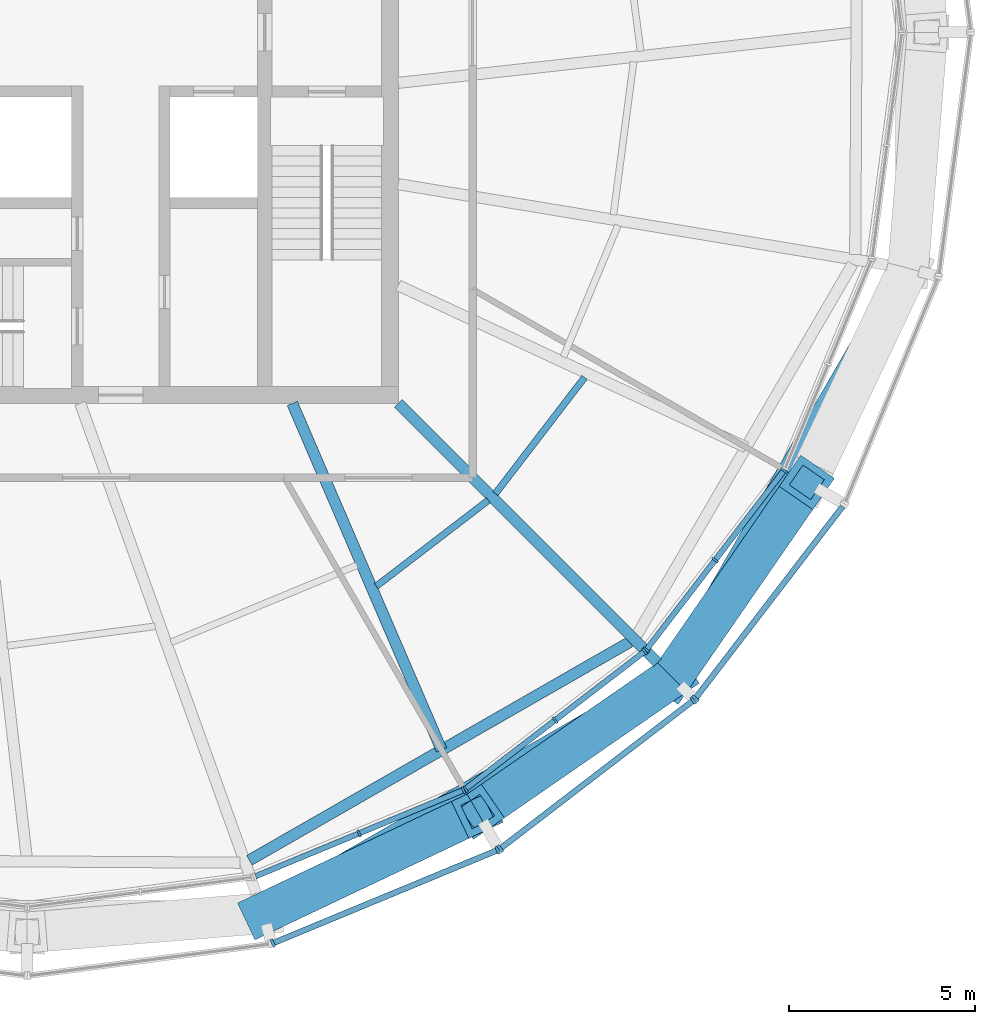
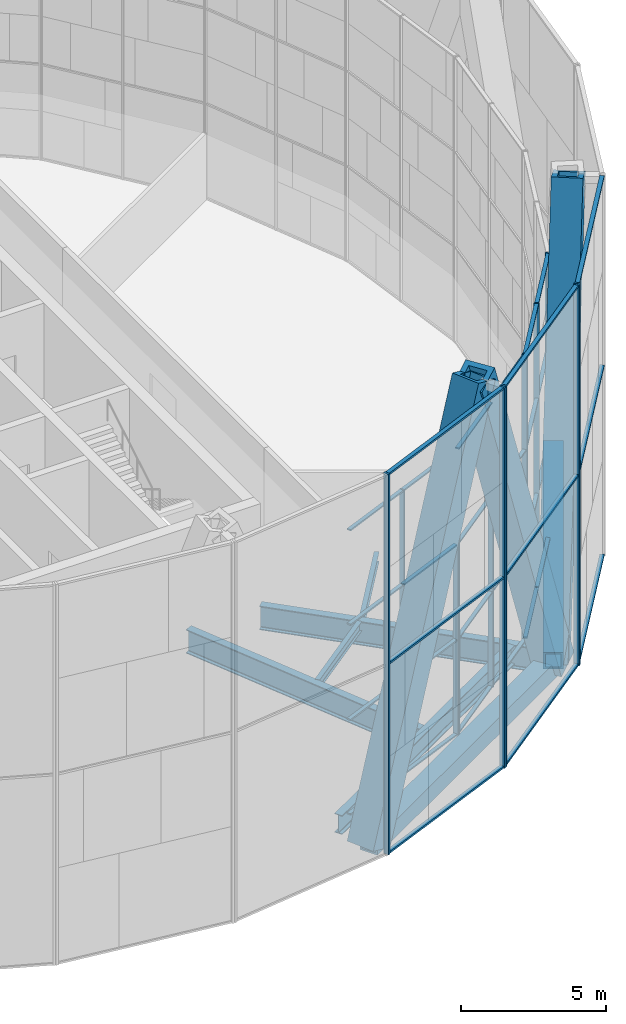
# One storey, part 4 of 26: 49 members, 7 beams, 6 elements without a shape of their own.
"""IFC4 building model written with IfcOpenShell, lengths in metres."""

from ifc_helpers import new_model, si_unit, direction, frame, origin, origin_2d, place, context, subcontext, project, spatial, rectangle, hollow_rectangle, i_section, extrude, material, material_profile, profile_set, type_object, element, aggregate, save


model = new_model("IFC4")

# Units and contexts
model_context = context("Model", 3, precision=1e-05, world=origin(), true_north=direction((0.0, 1.0)))
body_context = subcontext(model_context, "Body", "Model", "MODEL_VIEW")
ifc_project = project(units=[si_unit("LENGTHUNIT", "METRE"), si_unit("AREAUNIT", "SQUARE_METRE"), si_unit("VOLUMEUNIT", "CUBIC_METRE"), si_unit("PLANEANGLEUNIT", "RADIAN"), si_unit("MASSUNIT", "GRAM", prefix="KILO")], contexts=[model_context])

# Site, building, storey
site_placement = place(None, origin())
site = spatial("IfcSite", under=ifc_project, at=site_placement, CompositionType="ELEMENT")
building_placement = place(site_placement, origin())
building = spatial("IfcBuilding", under=site, at=building_placement, Name="Golbaran Civic Tower", CompositionType="ELEMENT")
storey_placement = place(building_placement, frame((0.0, 0.0, 199.0)))
storey = spatial("IfcBuildingStorey", under=building, at=storey_placement, Name="L48", CompositionType="ELEMENT", Elevation=199.0)

# Members
ifc_material_1 = material(Name="Steel S355", Category="steel")
ifc_material_profile_1 = material_profile(ifc_material_1, hollow_rectangle(XDim=1.10009765625, YDim=1.10009765625, WallThickness=0.199951171875, at=origin_2d()), Name="BOX 1100x1100x200")
ifc_profile_set_1 = profile_set([ifc_material_profile_1], Name="Steel S355")
member_type_1 = type_object("IfcMemberType", Name="DIAGRID DIAGONAL BOX 1100x1100x200", PredefinedType="BRACE", material=ifc_profile_set_1)
for number, where, z_axis, x_axis, name in (
    (1, (6.361328125, -23.740478515625, -0.7099609375), (0.334764832099, 0.158722749986, 0.92883776615), (-0.428416849002, 0.903581210236, 0.0), "Diagonal D11-09R L48-L52"),
    (2, (17.379150390625, -17.379150390625, -0.7099609375), (0.210566399983, 0.30484436274, 0.928833518831), (-0.822797663531, 0.568334412901, 0.0), "Diagonal D11-10R L48-L52"),
    (3, (17.379150390625, -17.379150390625, -0.7099609375), (-0.30484436274, -0.210566399983, 0.928833518831), (0.568334412901, -0.822797663531, 0.0), "Diagonal D11-10L L48-L52"),
):
    element("IfcMember", number, at=place(storey_placement, frame(where, z_axis=z_axis, x_axis=x_axis)), inside=storey, type_object=member_type_1, Name=name, PredefinedType="BRACE", context=body_context, shape_type="SweptSolid", body=[
        extrude(hollow_rectangle(XDim=1.10009765625, YDim=1.10009765625, WallThickness=0.199951171875, at=origin_2d()), origin(), (0.0, 0.0, 1.0), 17.225830078125),
    ])

# Beams
ifc_material_profile_2 = material_profile(ifc_material_1, hollow_rectangle(XDim=0.699951171875, YDim=0.699951171875, WallThickness=0.080078125, at=origin_2d()), Name="BOX 700x700x80")
ifc_profile_set_2 = profile_set([ifc_material_profile_2], Name="Steel S355")
beam_type_1 = type_object("IfcBeamType", Name="DIAGRID RING TIE BOX 700x700x80", PredefinedType="BEAM", material=ifc_profile_set_2)
for number, where, z_axis, x_axis, name in (
    (4, (6.361328125, -23.740478515625, -0.7099609375), (0.86601909101, 0.500010933886, 0.0), (-0.500010933886, 0.86601909101, 0.0), "Ring tie 285.00 L48"),
    (5, (17.379150390625, -17.379150390625, -0.7099609375), (0.500010933886, 0.86601909101, 0.0), (-0.86601909101, 0.500010933886, 0.0), "Ring tie 315.00 L48"),
):
    element("IfcBeam", number, at=place(storey_placement, frame(where, z_axis=z_axis, x_axis=x_axis)), inside=storey, type_object=beam_type_1, Name=name, PredefinedType="BEAM", context=body_context, shape_type="SweptSolid", body=[
        extrude(hollow_rectangle(XDim=0.699951171875, YDim=0.699951171875, WallThickness=0.080078125, at=origin_2d()), origin(), (0.0, 0.0, 1.0), 12.722412109375),
    ])
ifc_material_profile_3 = material_profile(ifc_material_1, i_section(OverallWidth=0.300048828125, OverallDepth=0.800048828125, WebThickness=0.017578125, FlangeThickness=0.032958984375, FilletRadius=0.030029296875, at=origin_2d()), Name="HEB 800")
ifc_profile_set_3 = profile_set([ifc_material_profile_3], Name="Steel S355")
beam_type_2 = type_object("IfcBeamType", Name="EDGE BEAM HEB 800", PredefinedType="BEAM", material=ifc_profile_set_3)
beam_1_placement = place(storey_placement, frame((5.986572265625, -22.31201171875, -0.60009765625), z_axis=(0.867321764975, 0.497747883975, 0.0), x_axis=(-0.497747883975, 0.867321764975, 0.0)))
element("IfcBeam", 6, at=beam_1_placement, inside=storey, type_object=beam_type_2, Name="Edge beam 285.00 L48", PredefinedType="BEAM", context=body_context, shape_type="SweptSolid", body=[
    extrude(i_section(OverallWidth=0.300048828125, OverallDepth=0.800048828125, WebThickness=0.017578125, FlangeThickness=0.032958984375, FilletRadius=0.030029296875, at=origin_2d()), origin(), (0.0, 0.0, 1.0), 11.82470703125),
])
ifc_material_profile_4 = material_profile(ifc_material_1, i_section(OverallWidth=0.179931640625, OverallDepth=0.39990234375, WebThickness=0.008544921875, FlangeThickness=0.013427734375, FilletRadius=0.02099609375, at=origin_2d()), Name="IPE 400")
ifc_profile_set_4 = profile_set([ifc_material_profile_4], Name="Steel S355")
beam_type_3 = type_object("IfcBeamType", Name="FLOOR INFILL BEAM IPE 400", PredefinedType="BEAM", material=ifc_profile_set_4)
beam_2_placement = place(storey_placement, frame((9.406494140625, -14.926513671875, -0.39990234375), z_axis=(0.793338867189, 0.608780290258, 0.0), x_axis=(-0.608780290258, 0.793338867189, 0.0)))
element("IfcBeam", 7, at=beam_2_placement, inside=storey, type_object=beam_type_3, Name="Infill beam 307.50 L48", PredefinedType="BEAM", context=body_context, shape_type="SweptSolid", body=[
    extrude(i_section(OverallWidth=0.179931640625, OverallDepth=0.39990234375, WebThickness=0.008544921875, FlangeThickness=0.013427734375, FilletRadius=0.02099609375, at=origin_2d()), origin(), (0.0, 0.0, 1.0), 3.805908203125),
])
beam_3_placement = place(storey_placement, frame((12.615966796875, -12.43212890625, -0.39990234375), z_axis=(0.608762650761, 0.793352402806, 0.0), x_axis=(-0.793352402806, 0.608762650761, 0.0)))
element("IfcBeam", 8, at=beam_3_placement, inside=storey, type_object=beam_type_3, Name="Infill beam 322.50 L48", PredefinedType="BEAM", context=body_context, shape_type="SweptSolid", body=[
    extrude(i_section(OverallWidth=0.179931640625, OverallDepth=0.39990234375, WebThickness=0.008544921875, FlangeThickness=0.013427734375, FilletRadius=0.02099609375, at=origin_2d()), origin(), (0.0, 0.0, 1.0), 3.94677734375),
])

# Curtain wall, members
ifc_material_2 = material(Name="Aluminium and glass", Category="aluminium")
curtain_wall_type_1 = type_object("IfcCurtainWallType", Name="INNER SKIN CURTAIN WALL EXECUTIVE", PredefinedType="NOTDEFINED", material=ifc_material_2)
curtain_wall_1_placement = place(storey_placement, origin())
curtain_wall_1 = element("IfcCurtainWall", 9, at=curtain_wall_1_placement, inside=storey, type_object=curtain_wall_type_1, Name="Inner skin L48 facet 20 CW2", ObjectType="INNER SKIN", PredefinedType="USERDEFINED")
ifc_material_3 = material(Name="Aluminium", Category="aluminium")
ifc_material_profile_5 = material_profile(ifc_material_3, rectangle(XDim=0.199951171875, YDim=0.06005859375, at=origin_2d()), Name="INNER SKIN CURTAIN WALL EXECUTIVE MULLION")
ifc_profile_set_5 = profile_set([ifc_material_profile_5], Name="Aluminium")
member_type_2 = type_object("IfcMemberType", Name="INNER SKIN CURTAIN WALL EXECUTIVE MULLION", PredefinedType="MULLION", material=ifc_profile_set_5)
member_1_placement = place(storey_placement, frame((8.941650390625, -21.5869140625, 0.0), z_axis=(0.0, 0.0, 1.0), x_axis=(-0.382683432349, 0.923879532518, 0.0)))
member_1 = element("IfcMember", 10, at=member_1_placement, type_object=member_type_2, Name="CW2 mullion 2", PredefinedType="MULLION", context=body_context, shape_type="SweptSolid", body=[
    extrude(rectangle(XDim=0.199951171875, YDim=0.06005859375, at=origin_2d()), origin(), (0.0, 0.0, 1.0), 12.0),
])
member_2_placement = place(storey_placement, frame((11.755859375, -20.421142578125, 0.0), z_axis=(0.0, 0.0, 1.0), x_axis=(-0.382683432349, 0.923879532518, 0.0)))
member_2 = element("IfcMember", 11, at=member_2_placement, type_object=member_type_2, Name="CW2 mullion 3", PredefinedType="MULLION", context=body_context, shape_type="SweptSolid", body=[
    extrude(rectangle(XDim=0.199951171875, YDim=0.06005859375, at=origin_2d()), origin(), (0.0, 0.0, 1.0), 12.0),
])

curtain_wall_2_placement = place(storey_placement, origin())
curtain_wall_2 = element("IfcCurtainWall", 12, at=curtain_wall_2_placement, inside=storey, type_object=curtain_wall_type_1, Name="Inner skin L48 facet 21 CW2", ObjectType="INNER SKIN", PredefinedType="USERDEFINED")
member_3_placement = place(storey_placement, frame((11.807373046875, -20.391357421875, 0.0), z_axis=(0.0, 0.0, 1.0), x_axis=(-0.60876142905, 0.793353340259, 0.0)))
member_3 = element("IfcMember", 13, at=member_3_placement, type_object=member_type_2, Name="CW2 mullion 1", PredefinedType="MULLION", context=body_context, shape_type="SweptSolid", body=[
    extrude(rectangle(XDim=0.199951171875, YDim=0.06005859375, at=origin_2d()), origin(), (0.0, 0.0, 1.0), 12.0),
])
member_4_placement = place(storey_placement, frame((14.223876953125, -18.537109375, 0.0), z_axis=(0.0, 0.0, 1.0), x_axis=(-0.60876142905, 0.793353340259, 0.0)))
member_4 = element("IfcMember", 14, at=member_4_placement, type_object=member_type_2, Name="CW2 mullion 2", PredefinedType="MULLION", context=body_context, shape_type="SweptSolid", body=[
    extrude(rectangle(XDim=0.199951171875, YDim=0.06005859375, at=origin_2d()), origin(), (0.0, 0.0, 1.0), 12.0),
])
member_5_placement = place(storey_placement, frame((16.640625, -16.6826171875, 0.0), z_axis=(0.0, 0.0, 1.0), x_axis=(-0.60876142905, 0.793353340259, 0.0)))
member_5 = element("IfcMember", 15, at=member_5_placement, type_object=member_type_2, Name="CW2 mullion 3", PredefinedType="MULLION", context=body_context, shape_type="SweptSolid", body=[
    extrude(rectangle(XDim=0.199951171875, YDim=0.06005859375, at=origin_2d()), origin(), (0.0, 0.0, 1.0), 12.0),
])

curtain_wall_3_placement = place(storey_placement, origin())
curtain_wall_3 = element("IfcCurtainWall", 16, at=curtain_wall_3_placement, inside=storey, type_object=curtain_wall_type_1, Name="Inner skin L48 facet 22 CW2", ObjectType="INNER SKIN", PredefinedType="USERDEFINED")
member_6_placement = place(storey_placement, frame((16.6826171875, -16.640625, 0.0), z_axis=(0.0, 0.0, 1.0), x_axis=(-0.793353340259, 0.60876142905, 0.0)))
member_6 = element("IfcMember", 17, at=member_6_placement, type_object=member_type_2, Name="CW2 mullion 1", PredefinedType="MULLION", context=body_context, shape_type="SweptSolid", body=[
    extrude(rectangle(XDim=0.199951171875, YDim=0.06005859375, at=origin_2d()), origin(), (0.0, 0.0, 1.0), 12.0),
])
member_7_placement = place(storey_placement, frame((18.537109375, -14.223876953125, 0.0), z_axis=(0.0, 0.0, 1.0), x_axis=(-0.793353340259, 0.60876142905, 0.0)))
member_7 = element("IfcMember", 18, at=member_7_placement, type_object=member_type_2, Name="CW2 mullion 2", PredefinedType="MULLION", context=body_context, shape_type="SweptSolid", body=[
    extrude(rectangle(XDim=0.199951171875, YDim=0.06005859375, at=origin_2d()), origin(), (0.0, 0.0, 1.0), 12.0),
])
member_8_placement = place(storey_placement, frame((20.391357421875, -11.807373046875, 0.0), z_axis=(0.0, 0.0, 1.0), x_axis=(-0.793353340259, 0.60876142905, 0.0)))
member_8 = element("IfcMember", 19, at=member_8_placement, type_object=member_type_2, Name="CW2 mullion 3", PredefinedType="MULLION", context=body_context, shape_type="SweptSolid", body=[
    extrude(rectangle(XDim=0.199951171875, YDim=0.06005859375, at=origin_2d()), origin(), (0.0, 0.0, 1.0), 12.0),
])

# Member
ifc_material_profile_6 = material_profile(ifc_material_3, rectangle(XDim=0.14990234375, YDim=0.06005859375, at=origin_2d()), Name="INNER SKIN CURTAIN WALL EXECUTIVE TRANSOM")
ifc_profile_set_6 = profile_set([ifc_material_profile_6], Name="Aluminium")
member_type_3 = type_object("IfcMemberType", Name="INNER SKIN CURTAIN WALL EXECUTIVE TRANSOM", PredefinedType="USERDEFINED", material=ifc_profile_set_6)
member_9_placement = place(storey_placement, frame((6.155029296875, -22.740966796875, 0.030029296875), z_axis=(0.923897258763, 0.382640634603, 0.0), x_axis=(-0.382640634603, 0.923897258763, 0.0)))
member_9 = element("IfcMember", 20, at=member_9_placement, type_object=member_type_3, Name="CW2 transom 1.1", ObjectType="TRANSOM", PredefinedType="USERDEFINED", context=body_context, shape_type="SweptSolid", body=[
    extrude(rectangle(XDim=0.14990234375, YDim=0.06005859375, at=origin_2d()), origin(), (0.0, 0.0, 1.0), 2.986083984375),
])

member_10_placement = place(storey_placement, frame((6.155029296875, -22.740966796875, 4.0), z_axis=(0.923897258763, 0.382640634603, 0.0), x_axis=(-0.382640634603, 0.923897258763, 0.0)))
member_10 = element("IfcMember", 21, at=member_10_placement, type_object=member_type_3, Name="CW2 transom 1.2", ObjectType="TRANSOM", PredefinedType="USERDEFINED", context=body_context, shape_type="SweptSolid", body=[
    extrude(rectangle(XDim=0.14990234375, YDim=0.06005859375, at=origin_2d()), origin(), (0.0, 0.0, 1.0), 2.986083984375),
])

member_11_placement = place(storey_placement, frame((6.155029296875, -22.740966796875, 8.0), z_axis=(0.923897258763, 0.382640634603, 0.0), x_axis=(-0.382640634603, 0.923897258763, 0.0)))
member_11 = element("IfcMember", 22, at=member_11_placement, type_object=member_type_3, Name="CW2 transom 1.3", ObjectType="TRANSOM", PredefinedType="USERDEFINED", context=body_context, shape_type="SweptSolid", body=[
    extrude(rectangle(XDim=0.14990234375, YDim=0.06005859375, at=origin_2d()), origin(), (0.0, 0.0, 1.0), 2.986083984375),
])

member_12_placement = place(storey_placement, frame((6.155029296875, -22.740966796875, 11.969970703125), z_axis=(0.923897258763, 0.382640634603, 0.0), x_axis=(-0.382640634603, 0.923897258763, 0.0)))
member_12 = element("IfcMember", 23, at=member_12_placement, type_object=member_type_3, Name="CW2 transom 1.4", ObjectType="TRANSOM", PredefinedType="USERDEFINED", context=body_context, shape_type="SweptSolid", body=[
    extrude(rectangle(XDim=0.14990234375, YDim=0.06005859375, at=origin_2d()), origin(), (0.0, 0.0, 1.0), 2.986083984375),
])

member_13_placement = place(storey_placement, frame((8.96923828125, -21.5751953125, 0.030029296875), z_axis=(0.923897258763, 0.382640634603, 0.0), x_axis=(-0.382640634603, 0.923897258763, 0.0)))
member_13 = element("IfcMember", 24, at=member_13_placement, type_object=member_type_3, Name="CW2 transom 2.1", ObjectType="TRANSOM", PredefinedType="USERDEFINED", context=body_context, shape_type="SweptSolid", body=[
    extrude(rectangle(XDim=0.14990234375, YDim=0.06005859375, at=origin_2d()), origin(), (0.0, 0.0, 1.0), 2.986083984375),
])

member_14_placement = place(storey_placement, frame((8.96923828125, -21.5751953125, 4.0), z_axis=(0.923897258763, 0.382640634603, 0.0), x_axis=(-0.382640634603, 0.923897258763, 0.0)))
member_14 = element("IfcMember", 25, at=member_14_placement, type_object=member_type_3, Name="CW2 transom 2.2", ObjectType="TRANSOM", PredefinedType="USERDEFINED", context=body_context, shape_type="SweptSolid", body=[
    extrude(rectangle(XDim=0.14990234375, YDim=0.06005859375, at=origin_2d()), origin(), (0.0, 0.0, 1.0), 2.986083984375),
])

member_15_placement = place(storey_placement, frame((8.96923828125, -21.5751953125, 8.0), z_axis=(0.923897258763, 0.382640634603, 0.0), x_axis=(-0.382640634603, 0.923897258763, 0.0)))
member_15 = element("IfcMember", 26, at=member_15_placement, type_object=member_type_3, Name="CW2 transom 2.3", ObjectType="TRANSOM", PredefinedType="USERDEFINED", context=body_context, shape_type="SweptSolid", body=[
    extrude(rectangle(XDim=0.14990234375, YDim=0.06005859375, at=origin_2d()), origin(), (0.0, 0.0, 1.0), 2.986083984375),
])

member_16_placement = place(storey_placement, frame((8.96923828125, -21.5751953125, 11.969970703125), z_axis=(0.923897258763, 0.382640634603, 0.0), x_axis=(-0.382640634603, 0.923897258763, 0.0)))
member_16 = element("IfcMember", 27, at=member_16_placement, type_object=member_type_3, Name="CW2 transom 2.4", ObjectType="TRANSOM", PredefinedType="USERDEFINED", context=body_context, shape_type="SweptSolid", body=[
    extrude(rectangle(XDim=0.14990234375, YDim=0.06005859375, at=origin_2d()), origin(), (0.0, 0.0, 1.0), 2.986083984375),
])

aggregate(curtain_wall_1, [member_1, member_2, member_9, member_10, member_11, member_12, member_13, member_14, member_15, member_16])

member_17_placement = place(storey_placement, frame((11.8310546875, -20.373046875, 0.030029296875), z_axis=(0.793358911257, 0.608754168716, 0.0), x_axis=(-0.608754168716, 0.793358911257, 0.0)))
member_17 = element("IfcMember", 28, at=member_17_placement, type_object=member_type_3, Name="CW2 transom 1.1", ObjectType="TRANSOM", PredefinedType="USERDEFINED", context=body_context, shape_type="SweptSolid", body=[
    extrude(rectangle(XDim=0.14990234375, YDim=0.06005859375, at=origin_2d()), origin(), (0.0, 0.0, 1.0), 2.986328125),
])

member_18_placement = place(storey_placement, frame((11.8310546875, -20.373046875, 4.0), z_axis=(0.793358911257, 0.608754168716, 0.0), x_axis=(-0.608754168716, 0.793358911257, 0.0)))
member_18 = element("IfcMember", 29, at=member_18_placement, type_object=member_type_3, Name="CW2 transom 1.2", ObjectType="TRANSOM", PredefinedType="USERDEFINED", context=body_context, shape_type="SweptSolid", body=[
    extrude(rectangle(XDim=0.14990234375, YDim=0.06005859375, at=origin_2d()), origin(), (0.0, 0.0, 1.0), 2.986328125),
])

member_19_placement = place(storey_placement, frame((11.8310546875, -20.373046875, 8.0), z_axis=(0.793358911257, 0.608754168716, 0.0), x_axis=(-0.608754168716, 0.793358911257, 0.0)))
member_19 = element("IfcMember", 30, at=member_19_placement, type_object=member_type_3, Name="CW2 transom 1.3", ObjectType="TRANSOM", PredefinedType="USERDEFINED", context=body_context, shape_type="SweptSolid", body=[
    extrude(rectangle(XDim=0.14990234375, YDim=0.06005859375, at=origin_2d()), origin(), (0.0, 0.0, 1.0), 2.986328125),
])

member_20_placement = place(storey_placement, frame((11.8310546875, -20.373046875, 11.969970703125), z_axis=(0.793358911257, 0.608754168716, 0.0), x_axis=(-0.608754168716, 0.793358911257, 0.0)))
member_20 = element("IfcMember", 31, at=member_20_placement, type_object=member_type_3, Name="CW2 transom 1.4", ObjectType="TRANSOM", PredefinedType="USERDEFINED", context=body_context, shape_type="SweptSolid", body=[
    extrude(rectangle(XDim=0.14990234375, YDim=0.06005859375, at=origin_2d()), origin(), (0.0, 0.0, 1.0), 2.986328125),
])

member_21_placement = place(storey_placement, frame((14.247802734375, -18.518798828125, 0.030029296875), z_axis=(0.793328611087, 0.60879365538, 0.0), x_axis=(-0.60879365538, 0.793328611087, 0.0)))
member_21 = element("IfcMember", 32, at=member_21_placement, type_object=member_type_3, Name="CW2 transom 2.1", ObjectType="TRANSOM", PredefinedType="USERDEFINED", context=body_context, shape_type="SweptSolid", body=[
    extrude(rectangle(XDim=0.14990234375, YDim=0.06005859375, at=origin_2d()), origin(), (0.0, 0.0, 1.0), 2.986083984375),
])

member_22_placement = place(storey_placement, frame((14.247802734375, -18.518798828125, 4.0), z_axis=(0.793328611087, 0.60879365538, 0.0), x_axis=(-0.60879365538, 0.793328611087, 0.0)))
member_22 = element("IfcMember", 33, at=member_22_placement, type_object=member_type_3, Name="CW2 transom 2.2", ObjectType="TRANSOM", PredefinedType="USERDEFINED", context=body_context, shape_type="SweptSolid", body=[
    extrude(rectangle(XDim=0.14990234375, YDim=0.06005859375, at=origin_2d()), origin(), (0.0, 0.0, 1.0), 2.986083984375),
])

member_23_placement = place(storey_placement, frame((14.247802734375, -18.518798828125, 8.0), z_axis=(0.793328611087, 0.60879365538, 0.0), x_axis=(-0.60879365538, 0.793328611087, 0.0)))
member_23 = element("IfcMember", 34, at=member_23_placement, type_object=member_type_3, Name="CW2 transom 2.3", ObjectType="TRANSOM", PredefinedType="USERDEFINED", context=body_context, shape_type="SweptSolid", body=[
    extrude(rectangle(XDim=0.14990234375, YDim=0.06005859375, at=origin_2d()), origin(), (0.0, 0.0, 1.0), 2.986083984375),
])

member_24_placement = place(storey_placement, frame((14.247802734375, -18.518798828125, 11.969970703125), z_axis=(0.793328611087, 0.60879365538, 0.0), x_axis=(-0.60879365538, 0.793328611087, 0.0)))
member_24 = element("IfcMember", 35, at=member_24_placement, type_object=member_type_3, Name="CW2 transom 2.4", ObjectType="TRANSOM", PredefinedType="USERDEFINED", context=body_context, shape_type="SweptSolid", body=[
    extrude(rectangle(XDim=0.14990234375, YDim=0.06005859375, at=origin_2d()), origin(), (0.0, 0.0, 1.0), 2.986083984375),
])

aggregate(curtain_wall_2, [member_3, member_4, member_5, member_17, member_18, member_19, member_20, member_21, member_22, member_23, member_24])

member_25_placement = place(storey_placement, frame((16.700927734375, -16.61669921875, 0.030029296875), z_axis=(0.60879365538, 0.793328611087, 0.0), x_axis=(-0.793328611087, 0.60879365538, 0.0)))
member_25 = element("IfcMember", 36, at=member_25_placement, type_object=member_type_3, Name="CW2 transom 1.1", ObjectType="TRANSOM", PredefinedType="USERDEFINED", context=body_context, shape_type="SweptSolid", body=[
    extrude(rectangle(XDim=0.14990234375, YDim=0.06005859375, at=origin_2d()), origin(), (0.0, 0.0, 1.0), 2.986083984375),
])

member_26_placement = place(storey_placement, frame((16.700927734375, -16.61669921875, 4.0), z_axis=(0.60879365538, 0.793328611087, 0.0), x_axis=(-0.793328611087, 0.60879365538, 0.0)))
member_26 = element("IfcMember", 37, at=member_26_placement, type_object=member_type_3, Name="CW2 transom 1.2", ObjectType="TRANSOM", PredefinedType="USERDEFINED", context=body_context, shape_type="SweptSolid", body=[
    extrude(rectangle(XDim=0.14990234375, YDim=0.06005859375, at=origin_2d()), origin(), (0.0, 0.0, 1.0), 2.986083984375),
])

member_27_placement = place(storey_placement, frame((16.700927734375, -16.61669921875, 8.0), z_axis=(0.60879365538, 0.793328611087, 0.0), x_axis=(-0.793328611087, 0.60879365538, 0.0)))
member_27 = element("IfcMember", 38, at=member_27_placement, type_object=member_type_3, Name="CW2 transom 1.3", ObjectType="TRANSOM", PredefinedType="USERDEFINED", context=body_context, shape_type="SweptSolid", body=[
    extrude(rectangle(XDim=0.14990234375, YDim=0.06005859375, at=origin_2d()), origin(), (0.0, 0.0, 1.0), 2.986083984375),
])

member_28_placement = place(storey_placement, frame((16.700927734375, -16.61669921875, 11.969970703125), z_axis=(0.60879365538, 0.793328611087, 0.0), x_axis=(-0.793328611087, 0.60879365538, 0.0)))
member_28 = element("IfcMember", 39, at=member_28_placement, type_object=member_type_3, Name="CW2 transom 1.4", ObjectType="TRANSOM", PredefinedType="USERDEFINED", context=body_context, shape_type="SweptSolid", body=[
    extrude(rectangle(XDim=0.14990234375, YDim=0.06005859375, at=origin_2d()), origin(), (0.0, 0.0, 1.0), 2.986083984375),
])

member_29_placement = place(storey_placement, frame((18.55517578125, -14.2001953125, 0.030029296875), z_axis=(0.608754168716, 0.793358911257, 0.0), x_axis=(-0.793358911257, 0.608754168716, 0.0)))
member_29 = element("IfcMember", 40, at=member_29_placement, type_object=member_type_3, Name="CW2 transom 2.1", ObjectType="TRANSOM", PredefinedType="USERDEFINED", context=body_context, shape_type="SweptSolid", body=[
    extrude(rectangle(XDim=0.14990234375, YDim=0.06005859375, at=origin_2d()), origin(), (0.0, 0.0, 1.0), 2.986328125),
])

member_30_placement = place(storey_placement, frame((18.55517578125, -14.2001953125, 4.0), z_axis=(0.608754168716, 0.793358911257, 0.0), x_axis=(-0.793358911257, 0.608754168716, 0.0)))
member_30 = element("IfcMember", 41, at=member_30_placement, type_object=member_type_3, Name="CW2 transom 2.2", ObjectType="TRANSOM", PredefinedType="USERDEFINED", context=body_context, shape_type="SweptSolid", body=[
    extrude(rectangle(XDim=0.14990234375, YDim=0.06005859375, at=origin_2d()), origin(), (0.0, 0.0, 1.0), 2.986328125),
])

member_31_placement = place(storey_placement, frame((18.55517578125, -14.2001953125, 8.0), z_axis=(0.608754168716, 0.793358911257, 0.0), x_axis=(-0.793358911257, 0.608754168716, 0.0)))
member_31 = element("IfcMember", 42, at=member_31_placement, type_object=member_type_3, Name="CW2 transom 2.3", ObjectType="TRANSOM", PredefinedType="USERDEFINED", context=body_context, shape_type="SweptSolid", body=[
    extrude(rectangle(XDim=0.14990234375, YDim=0.06005859375, at=origin_2d()), origin(), (0.0, 0.0, 1.0), 2.986328125),
])

member_32_placement = place(storey_placement, frame((18.55517578125, -14.2001953125, 11.969970703125), z_axis=(0.608754168716, 0.793358911257, 0.0), x_axis=(-0.793358911257, 0.608754168716, 0.0)))
member_32 = element("IfcMember", 43, at=member_32_placement, type_object=member_type_3, Name="CW2 transom 2.4", ObjectType="TRANSOM", PredefinedType="USERDEFINED", context=body_context, shape_type="SweptSolid", body=[
    extrude(rectangle(XDim=0.14990234375, YDim=0.06005859375, at=origin_2d()), origin(), (0.0, 0.0, 1.0), 2.986328125),
])

aggregate(curtain_wall_3, [member_6, member_7, member_8, member_25, member_26, member_27, member_28, member_29, member_30, member_31, member_32])

# Curtain wall, members
curtain_wall_type_2 = type_object("IfcCurtainWallType", Name="OUTER SKIN TERRACOTTA SCREEN", PredefinedType="NOTDEFINED", material=ifc_material_2)
curtain_wall_4_placement = place(storey_placement, origin())
curtain_wall_4 = element("IfcCurtainWall", 44, at=curtain_wall_4_placement, inside=storey, type_object=curtain_wall_type_2, Name="Outer skin L48 facet 20 CW3", ObjectType="OUTER SKIN", PredefinedType="USERDEFINED")
ifc_material_profile_7 = material_profile(ifc_material_3, rectangle(XDim=0.219970703125, YDim=0.080078125, at=origin_2d()), Name="OUTER SKIN TERRACOTTA SCREEN MULLION")
ifc_profile_set_7 = profile_set([ifc_material_profile_7], Name="Aluminium")
member_type_4 = type_object("IfcMemberType", Name="OUTER SKIN TERRACOTTA SCREEN MULLION", PredefinedType="MULLION", material=ifc_profile_set_7)
member_33_placement = place(storey_placement, frame((6.6181640625, -24.546142578125, -0.7099609375), z_axis=(0.0, 0.0, 1.0), x_axis=(-0.382683432446, 0.923879532478, 0.0)))
member_33 = element("IfcMember", 45, at=member_33_placement, type_object=member_type_4, Name="CW3 mullion 1", PredefinedType="MULLION", context=body_context, shape_type="SweptSolid", body=[
    extrude(rectangle(XDim=0.219970703125, YDim=0.080078125, at=origin_2d()), origin(), (0.0, 0.0, 1.0), 16.0),
])
member_34_placement = place(storey_placement, frame((12.677001953125, -22.03662109375, -0.7099609375), z_axis=(0.0, 0.0, 1.0), x_axis=(-0.382683432446, 0.923879532478, 0.0)))
member_34 = element("IfcMember", 46, at=member_34_placement, type_object=member_type_4, Name="CW3 mullion 2", PredefinedType="MULLION", context=body_context, shape_type="SweptSolid", body=[
    extrude(rectangle(XDim=0.219970703125, YDim=0.080078125, at=origin_2d()), origin(), (0.0, 0.0, 1.0), 16.0),
])

curtain_wall_5_placement = place(storey_placement, origin())
curtain_wall_5 = element("IfcCurtainWall", 47, at=curtain_wall_5_placement, inside=storey, type_object=curtain_wall_type_2, Name="Outer skin L48 facet 21 CW3", ObjectType="OUTER SKIN", PredefinedType="USERDEFINED")
member_35_placement = place(storey_placement, frame((12.745849609375, -21.996826171875, -0.7099609375), z_axis=(0.0, 0.0, 1.0), x_axis=(-0.608761428967, 0.793353340323, 0.0)))
member_35 = element("IfcMember", 48, at=member_35_placement, type_object=member_type_4, Name="CW3 mullion 1", PredefinedType="MULLION", context=body_context, shape_type="SweptSolid", body=[
    extrude(rectangle(XDim=0.219970703125, YDim=0.080078125, at=origin_2d()), origin(), (0.0, 0.0, 1.0), 16.0),
])
member_36_placement = place(storey_placement, frame((17.948486328125, -18.004638671875, -0.7099609375), z_axis=(0.0, 0.0, 1.0), x_axis=(-0.608761428967, 0.793353340323, 0.0)))
member_36 = element("IfcMember", 49, at=member_36_placement, type_object=member_type_4, Name="CW3 mullion 2", PredefinedType="MULLION", context=body_context, shape_type="SweptSolid", body=[
    extrude(rectangle(XDim=0.219970703125, YDim=0.080078125, at=origin_2d()), origin(), (0.0, 0.0, 1.0), 16.0),
])

# Curtain wall, member
curtain_wall_6_placement = place(storey_placement, origin())
curtain_wall_6 = element("IfcCurtainWall", 50, at=curtain_wall_6_placement, inside=storey, type_object=curtain_wall_type_2, Name="Outer skin L48 facet 22 CW3", ObjectType="OUTER SKIN", PredefinedType="USERDEFINED")
member_37_placement = place(storey_placement, frame((18.004638671875, -17.948486328125, -0.7099609375), z_axis=(0.0, 0.0, 1.0), x_axis=(-0.793353340323, 0.608761428967, 0.0)))
member_37 = element("IfcMember", 51, at=member_37_placement, type_object=member_type_4, Name="CW3 mullion 1", PredefinedType="MULLION", context=body_context, shape_type="SweptSolid", body=[
    extrude(rectangle(XDim=0.219970703125, YDim=0.080078125, at=origin_2d()), origin(), (0.0, 0.0, 1.0), 16.0),
])

# Member
ifc_material_profile_8 = material_profile(ifc_material_3, rectangle(XDim=0.159912109375, YDim=0.080078125, at=origin_2d()), Name="OUTER SKIN TERRACOTTA SCREEN TRANSOM")
ifc_profile_set_8 = profile_set([ifc_material_profile_8], Name="Aluminium")
member_type_5 = type_object("IfcMemberType", Name="OUTER SKIN TERRACOTTA SCREEN TRANSOM", PredefinedType="USERDEFINED", material=ifc_profile_set_8)
member_38_placement = place(storey_placement, frame((6.6552734375, -24.531005859375, -0.669921875), z_axis=(0.923879949147, 0.382682426517, 0.0), x_axis=(-0.382682426517, 0.923879949147, 0.0)))
member_38 = element("IfcMember", 52, at=member_38_placement, type_object=member_type_5, Name="CW3 transom 1.1", ObjectType="TRANSOM", PredefinedType="USERDEFINED", context=body_context, shape_type="SweptSolid", body=[
    extrude(rectangle(XDim=0.159912109375, YDim=0.080078125, at=origin_2d()), origin(), (0.0, 0.0, 1.0), 6.47802734375),
])

member_39_placement = place(storey_placement, frame((6.6552734375, -24.531005859375, 7.2900390625), z_axis=(0.923879949147, 0.382682426517, 0.0), x_axis=(-0.382682426517, 0.923879949147, 0.0)))
member_39 = element("IfcMember", 53, at=member_39_placement, type_object=member_type_5, Name="CW3 transom 1.2", ObjectType="TRANSOM", PredefinedType="USERDEFINED", context=body_context, shape_type="SweptSolid", body=[
    extrude(rectangle(XDim=0.159912109375, YDim=0.080078125, at=origin_2d()), origin(), (0.0, 0.0, 1.0), 6.47802734375),
])

member_40_placement = place(storey_placement, frame((6.6552734375, -24.531005859375, 15.25), z_axis=(0.923879949147, 0.382682426517, 0.0), x_axis=(-0.382682426517, 0.923879949147, 0.0)))
member_40 = element("IfcMember", 54, at=member_40_placement, type_object=member_type_5, Name="CW3 transom 1.3", ObjectType="TRANSOM", PredefinedType="USERDEFINED", context=body_context, shape_type="SweptSolid", body=[
    extrude(rectangle(XDim=0.159912109375, YDim=0.080078125, at=origin_2d()), origin(), (0.0, 0.0, 1.0), 6.47802734375),
])

aggregate(curtain_wall_4, [member_33, member_34, member_38, member_39, member_40])

member_41_placement = place(storey_placement, frame((12.777587890625, -21.97265625, -0.669921875), z_axis=(0.793339380863, 0.608779620859, 0.0), x_axis=(-0.608779620859, 0.793339380863, 0.0)))
member_41 = element("IfcMember", 55, at=member_41_placement, type_object=member_type_5, Name="CW3 transom 1.1", ObjectType="TRANSOM", PredefinedType="USERDEFINED", context=body_context, shape_type="SweptSolid", body=[
    extrude(rectangle(XDim=0.159912109375, YDim=0.080078125, at=origin_2d()), origin(), (0.0, 0.0, 1.0), 6.477783203125),
])

member_42_placement = place(storey_placement, frame((12.777587890625, -21.97265625, 7.2900390625), z_axis=(0.793339380863, 0.608779620859, 0.0), x_axis=(-0.608779620859, 0.793339380863, 0.0)))
member_42 = element("IfcMember", 56, at=member_42_placement, type_object=member_type_5, Name="CW3 transom 1.2", ObjectType="TRANSOM", PredefinedType="USERDEFINED", context=body_context, shape_type="SweptSolid", body=[
    extrude(rectangle(XDim=0.159912109375, YDim=0.080078125, at=origin_2d()), origin(), (0.0, 0.0, 1.0), 6.477783203125),
])

member_43_placement = place(storey_placement, frame((12.777587890625, -21.97265625, 15.25), z_axis=(0.793339380863, 0.608779620859, 0.0), x_axis=(-0.608779620859, 0.793339380863, 0.0)))
member_43 = element("IfcMember", 57, at=member_43_placement, type_object=member_type_5, Name="CW3 transom 1.3", ObjectType="TRANSOM", PredefinedType="USERDEFINED", context=body_context, shape_type="SweptSolid", body=[
    extrude(rectangle(XDim=0.159912109375, YDim=0.080078125, at=origin_2d()), origin(), (0.0, 0.0, 1.0), 6.477783203125),
])

aggregate(curtain_wall_5, [member_35, member_36, member_41, member_42, member_43])

member_44_placement = place(storey_placement, frame((18.029052734375, -17.916748046875, -0.669921875), z_axis=(0.608779620859, 0.793339380863, 0.0), x_axis=(-0.793339380863, 0.608779620859, 0.0)))
member_44 = element("IfcMember", 58, at=member_44_placement, type_object=member_type_5, Name="CW3 transom 1.1", ObjectType="TRANSOM", PredefinedType="USERDEFINED", context=body_context, shape_type="SweptSolid", body=[
    extrude(rectangle(XDim=0.159912109375, YDim=0.080078125, at=origin_2d()), origin(), (0.0, 0.0, 1.0), 6.477783203125),
])

member_45_placement = place(storey_placement, frame((18.029052734375, -17.916748046875, 7.2900390625), z_axis=(0.608779620859, 0.793339380863, 0.0), x_axis=(-0.793339380863, 0.608779620859, 0.0)))
member_45 = element("IfcMember", 59, at=member_45_placement, type_object=member_type_5, Name="CW3 transom 1.2", ObjectType="TRANSOM", PredefinedType="USERDEFINED", context=body_context, shape_type="SweptSolid", body=[
    extrude(rectangle(XDim=0.159912109375, YDim=0.080078125, at=origin_2d()), origin(), (0.0, 0.0, 1.0), 6.477783203125),
])

member_46_placement = place(storey_placement, frame((18.029052734375, -17.916748046875, 15.25), z_axis=(0.608779620859, 0.793339380863, 0.0), x_axis=(-0.793339380863, 0.608779620859, 0.0)))
member_46 = element("IfcMember", 60, at=member_46_placement, type_object=member_type_5, Name="CW3 transom 1.3", ObjectType="TRANSOM", PredefinedType="USERDEFINED", context=body_context, shape_type="SweptSolid", body=[
    extrude(rectangle(XDim=0.159912109375, YDim=0.080078125, at=origin_2d()), origin(), (0.0, 0.0, 1.0), 6.477783203125),
])

aggregate(curtain_wall_6, [member_37, member_44, member_45, member_46])

# Beams
ifc_material_profile_9 = material_profile(ifc_material_1, i_section(OverallWidth=0.300048828125, OverallDepth=1.0, WebThickness=0.01904296875, FlangeThickness=0.035888671875, FilletRadius=0.030029296875, at=origin_2d()), Name="HEB 1000")
ifc_profile_set_9 = profile_set([ifc_material_profile_9], Name="Steel S355")
beam_type_4 = type_object("IfcBeamType", Name="RADIAL FLOOR BEAM HEB 1000", PredefinedType="BEAM", material=ifc_profile_set_9)
beam_4_placement = place(storey_placement, frame((10.0, -10.0, -0.7099609375), z_axis=(0.707106781187, -0.707106781187, 0.0), x_axis=(0.707106781187, 0.707106781187, 0.0)))
element("IfcBeam", 61, at=beam_4_placement, inside=storey, type_object=beam_type_4, Name="Radial beam 315.00 L48", PredefinedType="BEAM", context=body_context, shape_type="SweptSolid", body=[
    extrude(i_section(OverallWidth=0.300048828125, OverallDepth=1.0, WebThickness=0.01904296875, FlangeThickness=0.035888671875, FilletRadius=0.030029296875, at=origin_2d()), origin(), (0.0, 0.0, 1.0), 9.876708984375),
])
ifc_material_profile_10 = material_profile(ifc_material_1, i_section(OverallWidth=0.300048828125, OverallDepth=1.0, WebThickness=0.01904296875, FlangeThickness=0.035888671875, FilletRadius=0.030029296875, at=origin_2d()), Name="HEB 1000")
ifc_profile_set_10 = profile_set([ifc_material_profile_10], Name="Steel S355")
beam_type_5 = type_object("IfcBeamType", Name="SECONDARY FLOOR BEAM HEB 1000", PredefinedType="BEAM", material=ifc_profile_set_10)
beam_5_placement = place(storey_placement, frame((7.142822265625, -10.0, -0.7099609375), z_axis=(0.395602088, -0.918422009737, 0.0), x_axis=(0.918422009737, 0.395602088, 0.0)))
element("IfcBeam", 62, at=beam_5_placement, inside=storey, type_object=beam_type_5, Name="Secondary beam 300.00 L48", PredefinedType="BEAM", context=body_context, shape_type="SweptSolid", body=[
    extrude(i_section(OverallWidth=0.300048828125, OverallDepth=1.0, WebThickness=0.01904296875, FlangeThickness=0.035888671875, FilletRadius=0.030029296875, at=origin_2d()), origin(), (0.0, 0.0, 1.0), 10.169189453125),
])

save(model, "model.ifc")
